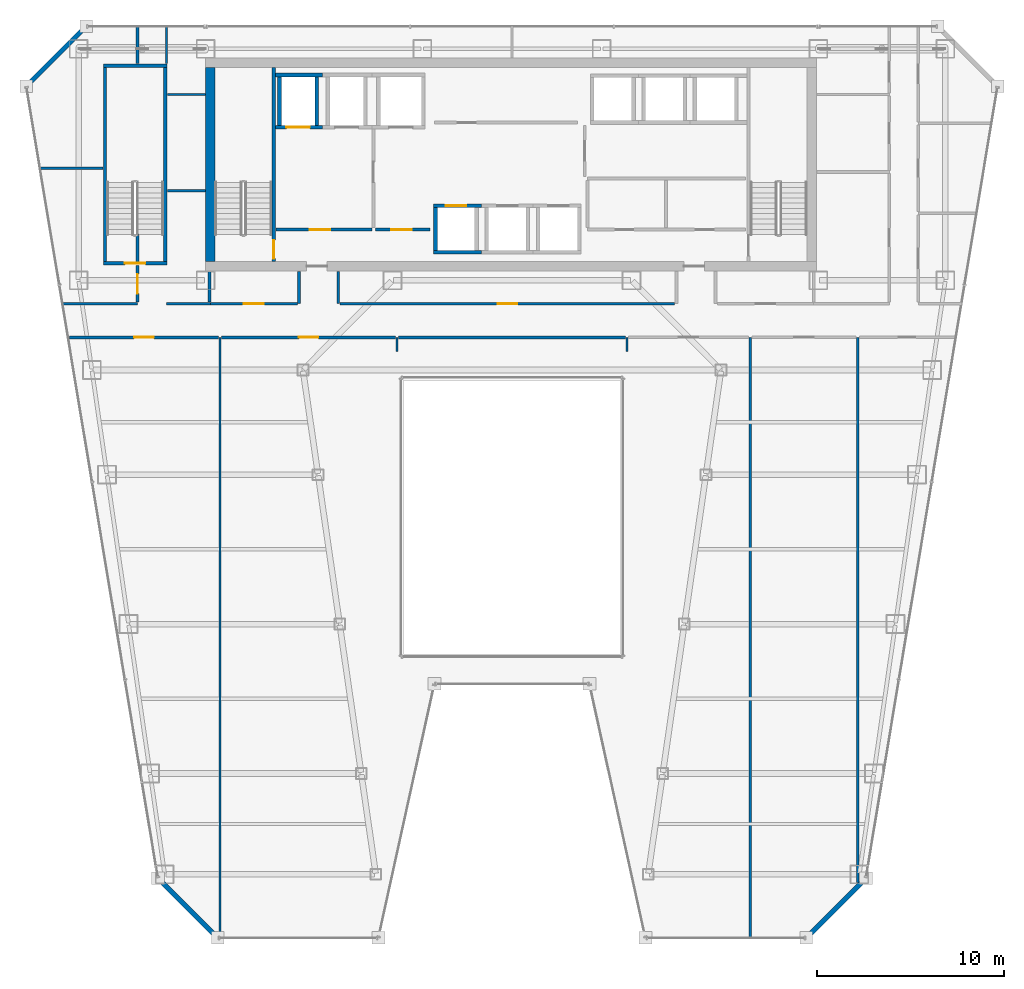
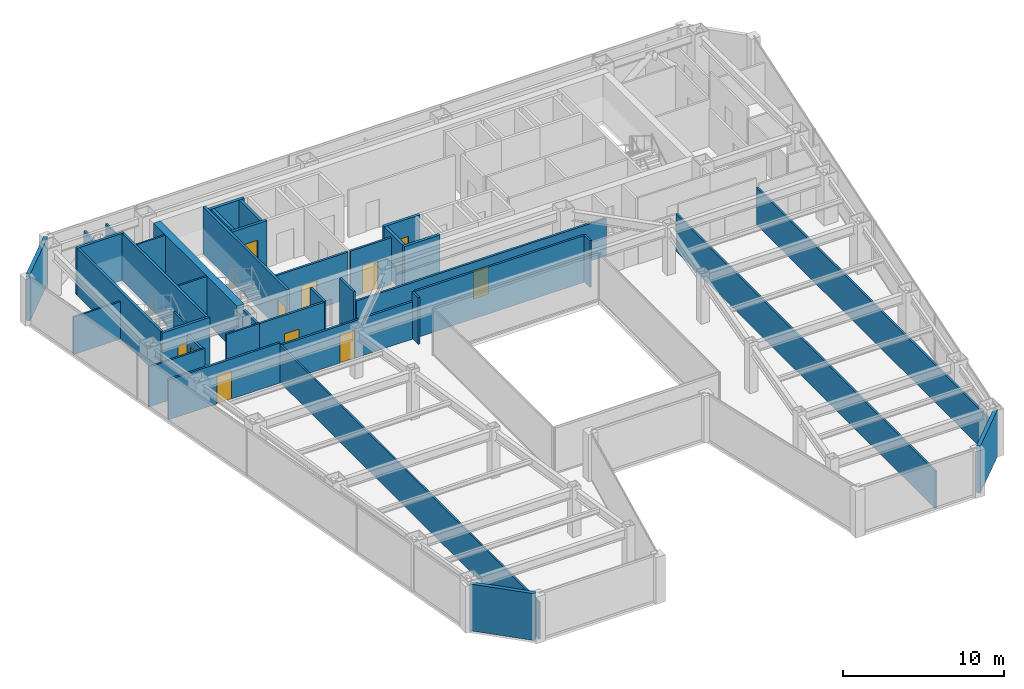
# One storey, part 31 of 36: 40 walls, 11 doors, 11 openings.
"""IFC4 building model written with IfcOpenShell, lengths in metres."""

from ifc_helpers import new_model, si_unit, direction, frame, frame_2d, origin, place, context, subcontext, project, spatial, rectangle, extrude, material, layer, layer_set, type_object, element, fill, save


model = new_model("IFC4")

# Units and contexts
model_context = context("Model", 3, precision=1e-05, world=origin(), true_north=direction((0.0, 1.0)))
body_context = subcontext(model_context, "Body", "Model", "MODEL_VIEW")
ifc_project = project(units=[si_unit("LENGTHUNIT", "METRE"), si_unit("AREAUNIT", "SQUARE_METRE"), si_unit("VOLUMEUNIT", "CUBIC_METRE"), si_unit("PLANEANGLEUNIT", "RADIAN"), si_unit("MASSUNIT", "GRAM", prefix="KILO")], contexts=[model_context])

# Site, building, storey
site_placement = place(None, origin())
site = spatial("IfcSite", under=ifc_project, at=site_placement, CompositionType="ELEMENT")
building_placement = place(site_placement, origin())
building = spatial("IfcBuilding", under=site, at=building_placement, Name="Saevonmaru Cultural Tower", CompositionType="ELEMENT")
storey_placement = place(building_placement, frame((0.0, 0.0, 156.199951171875)))
storey = spatial("IfcBuildingStorey", under=building, at=storey_placement, Name="L34", CompositionType="ELEMENT", Elevation=156.199951171875)

# Wall
ifc_material_1 = material(Name="Concrete C60/75", Category="concrete")
ifc_layer_1 = layer(ifc_material_1, 0.5, Name="Concrete C60/75")
ifc_layer_set_1 = layer_set([ifc_layer_1], Name="Concrete C60/75")
wall_type_1 = type_object("IfcWallType", Name="WL-CORE-500", PredefinedType="SHEAR", material=ifc_layer_set_1)
wall_1_placement = place(storey_placement, frame((13.85009765625, 43.39990234375, 0.0), z_axis=(0.0, 0.0, 1.0), x_axis=(0.0, 1.0, 0.0)))
element("IfcWall", 1, at=wall_1_placement, inside=storey, type_object=wall_type_1, Name="L34 Tower RC core shear wall W", PredefinedType="SHEAR", context=body_context, shape_type="SweptSolid", body=[
    extrude(rectangle(XDim=10.400146484375, YDim=0.5, at=frame_2d((5.2001953125, 0.0))), origin(), (0.0, 0.0, 1.0), 3.550048828125),
])

# Wall, opening, door
ifc_material_2 = material(Name="Gypsum Fireboard Partition", Category="gypsum")
ifc_layer_2 = layer(ifc_material_2, 0.14990234375, Name="Gypsum Fireboard Partition")
ifc_layer_set_2 = layer_set([ifc_layer_2], Name="Gypsum Fireboard Partition")
wall_type_2 = type_object("IfcWallType", Name="WL-CORE-PART-150", PredefinedType="PARTITIONING", material=ifc_layer_set_2)
wall_2_placement = place(storey_placement, frame((17.360107421875, 45.1201171875, 0.0), z_axis=(0.0, 0.0, 1.0), x_axis=(1.0, 0.0, 0.0)))
wall_2 = element("IfcWall", 2, at=wall_2_placement, inside=storey, type_object=wall_type_2, Name="L34 Firefighting Lift Lobby South Wall", PredefinedType="PARTITIONING", context=body_context, shape_type="SweptSolid", body=[
    extrude(rectangle(XDim=5.139892578125, YDim=0.14990234375, at=frame_2d((2.56982421875, 0.0))), origin(), (0.0, 0.0, 1.0), 3.550048828125),
])
opening_1_placement = place(wall_2_placement, frame((1.800048828125, 0.0, 0.0)))
opening_1 = element("IfcOpeningElement", 3, at=opening_1_placement, cuts=wall_2, Name="Opening FD-2", PredefinedType="OPENING", context=body_context, shape_type="SweptSolid", body=[
    extrude(rectangle(XDim=1.10009765625, YDim=2.14990234375, at=frame_2d((0.550048828125, 1.074951171875))), frame((0.0, 0.0849609375, 0.0), z_axis=(0.0, -1.0, 0.0), x_axis=(1.0, 0.0, 0.0)), (0.0, 0.0, 1.0), 0.169921875),
])
ifc_material_3 = material(Name="Satin Bronze Anodised Aluminium", Category="aluminium")
door_type_1 = type_object("IfcDoorType", Name="DR-FD60-1100", OperationType="SINGLE_SWING_LEFT", PredefinedType="DOOR", material=ifc_material_3)
door_1_placement = place(opening_1_placement, origin())
door_1 = element("IfcDoor", 4, at=door_1_placement, inside=storey, type_object=door_type_1, Name="L34 Firefighting Lift Lobby South Door", OperationType="SINGLE_SWING_LEFT", OverallHeight=2.14990234375, OverallWidth=1.10009765625, PredefinedType="DOOR", context=body_context, shape_type="SweptSolid", body=[
    extrude(rectangle(XDim=1.10009765625, YDim=2.14990234375, at=frame_2d((0.550048828125, 1.074951171875))), frame((0.0, 0.02490234375, 0.0), z_axis=(0.0, -1.0, 0.0), x_axis=(1.0, 0.0, 0.0)), (0.0, 0.0, 1.0), 0.050048828125),
])
fill(opening_1, door_1)

wall_3_placement = place(storey_placement, frame((22.679931640625, 45.1201171875, 0.0), z_axis=(0.0, 0.0, 1.0), x_axis=(1.0, 0.0, 0.0)))
wall_3 = element("IfcWall", 5, at=wall_3_placement, inside=storey, type_object=wall_type_2, Name="L34 Service Lift Vestibule Wall", PredefinedType="PARTITIONING", context=body_context, shape_type="SweptSolid", body=[
    extrude(rectangle(XDim=2.920166015625, YDim=0.14990234375, at=frame_2d((1.4599609375, 0.0))), origin(), (0.0, 0.0, 1.0), 3.550048828125),
])
opening_2_placement = place(wall_3_placement, frame((0.85009765625, 0.0, 0.0)))
opening_2 = element("IfcOpeningElement", 6, at=opening_2_placement, cuts=wall_3, Name="Opening FD-2", PredefinedType="OPENING", context=body_context, shape_type="SweptSolid", body=[
    extrude(rectangle(XDim=1.10009765625, YDim=2.14990234375, at=frame_2d((0.550048828125, 1.074951171875))), frame((0.0, 0.0849609375, 0.0), z_axis=(0.0, -1.0, 0.0), x_axis=(1.0, 0.0, 0.0)), (0.0, 0.0, 1.0), 0.169921875),
])
door_2_placement = place(opening_2_placement, origin())
door_2 = element("IfcDoor", 7, at=door_2_placement, inside=storey, type_object=door_type_1, Name="L34 Service Lift Vestibule Door", OperationType="SINGLE_SWING_LEFT", OverallHeight=2.14990234375, OverallWidth=1.10009765625, PredefinedType="DOOR", context=body_context, shape_type="SweptSolid", body=[
    extrude(rectangle(XDim=1.10009765625, YDim=2.14990234375, at=frame_2d((0.550048828125, 1.074951171875))), frame((0.0, 0.02490234375, 0.0), z_axis=(0.0, -1.0, 0.0), x_axis=(1.0, 0.0, 0.0)), (0.0, 0.0, 1.0), 0.050048828125),
])
fill(opening_2, door_2)

# Walls
ifc_material_4 = material(Name="Granite-Clad Precast Concrete C40/50", Category="masonry")
ifc_layer_3 = layer(ifc_material_4, 0.260009765625, Name="Granite-Clad Precast Concrete C40/50")
ifc_layer_set_3 = layer_set([ifc_layer_3], Name="Granite-Clad Precast Concrete C40/50")
wall_type_3 = type_object("IfcWallType", Name="WL-EXT-SPANDREL-260", PredefinedType="STANDARD", material=ifc_layer_set_3)
for number, where, z_axis, x_axis, name in (
    (8, (11.162109375, 10.286865234375, 0.0), (0.0, 0.0, 1.0), (0.70707775441, -0.707135806771, 0.0), "L34 Chamfer Corner Spandrel Wall E1"),
    (9, (45.8642578125, 7.31298828125, 0.0), (0.0, 0.0, 1.0), (0.70707775441, 0.707135806771, 0.0), "L34 Chamfer Corner Spandrel Wall E7"),
):
    element("IfcWall", number, at=place(storey_placement, frame(where, z_axis=z_axis, x_axis=x_axis)), inside=storey, type_object=wall_type_3, Name=name, PredefinedType="STANDARD", context=body_context, shape_type="SweptSolid", body=[
        extrude(rectangle(XDim=4.20556640625, YDim=0.260009765625, at=frame_2d((2.102783203125, 0.0))), origin(), (0.0, 0.0, 1.0), 3.550048828125),
    ])
wall_4_placement = place(storey_placement, frame((7.0869140625, 55.886962890625, 0.0), z_axis=(0.0, 0.0, 1.0), x_axis=(-0.707106781187, -0.707106781187, 0.0)))
element("IfcWall", 10, at=wall_4_placement, inside=storey, type_object=wall_type_3, Name="L34 Chamfer Corner Spandrel Wall E11", PredefinedType="STANDARD", context=body_context, shape_type="SweptSolid", body=[
    extrude(rectangle(XDim=4.205810546875, YDim=0.260009765625, at=frame_2d((2.10302734375, 0.0))), origin(), (0.0, 0.0, 1.0), 3.550048828125),
])

# Wall, opening, door
ifc_layer_4 = layer(ifc_material_2, 0.14990234375, Name="Gypsum Fireboard Partition")
ifc_layer_set_4 = layer_set([ifc_layer_4], Name="Gypsum Fireboard Partition")
wall_type_4 = type_object("IfcWallType", Name="WL-PART-FIRE-150", PredefinedType="PARTITIONING", material=ifc_layer_set_4)
wall_5_placement = place(storey_placement, frame((9.949951171875, 41.22998046875, 0.0), z_axis=(0.0, 0.0, 1.0), x_axis=(0.0, 1.0, 0.0)))
wall_5 = element("IfcWall", 11, at=wall_5_placement, inside=storey, type_object=wall_type_4, Name="L34 Sky Observatory Gallery Corridor Wall", PredefinedType="PARTITIONING", context=body_context, shape_type="SweptSolid", body=[
    extrude(rectangle(XDim=1.969970703125, YDim=0.14990234375, at=frame_2d((0.98486328125, 0.0))), origin(), (0.0, 0.0, 1.0), 2.8349609375),
])
opening_3_placement = place(wall_5_placement, frame((0.4599609375, 0.0, 0.0)))
opening_3 = element("IfcOpeningElement", 12, at=opening_3_placement, cuts=wall_5, Name="Opening ID-1", PredefinedType="OPENING", context=body_context, shape_type="SweptSolid", body=[
    extrude(rectangle(XDim=1.050048828125, YDim=2.14990234375, at=frame_2d((0.52490234375, 1.074951171875))), frame((0.0, 0.0849609375, 0.0), z_axis=(0.0, -1.0, 0.0), x_axis=(1.0, 0.0, 0.0)), (0.0, 0.0, 1.0), 0.169921875),
])
door_type_2 = type_object("IfcDoorType", Name="DR-INT-1050", OperationType="SINGLE_SWING_LEFT", PredefinedType="DOOR", material=ifc_material_3)
door_3_placement = place(opening_3_placement, origin())
door_3 = element("IfcDoor", 13, at=door_3_placement, inside=storey, type_object=door_type_2, Name="L34 Sky Observatory Gallery Door", OperationType="SINGLE_SWING_LEFT", OverallHeight=2.14990234375, OverallWidth=1.050048828125, PredefinedType="DOOR", context=body_context, shape_type="SweptSolid", body=[
    extrude(rectangle(XDim=1.050048828125, YDim=2.14990234375, at=frame_2d((0.52490234375, 1.074951171875))), frame((0.0, 0.02490234375, 0.0), z_axis=(0.0, -1.0, 0.0), x_axis=(1.0, 0.0, 0.0)), (0.0, 0.0, 1.0), 0.050048828125),
])
fill(opening_3, door_3)

# Walls
wall_6_placement = place(storey_placement, frame((9.949951171875, 43.419921875, 0.0), z_axis=(0.0, 0.0, 1.0), x_axis=(0.0, 1.0, 0.0)))
element("IfcWall", 14, at=wall_6_placement, inside=storey, type_object=wall_type_4, Name="L34 Sky Observatory Gallery Corridor Wall (2)", PredefinedType="PARTITIONING", context=body_context, shape_type="SweptSolid", body=[
    extrude(rectangle(XDim=1.4501953125, YDim=0.14990234375, at=frame_2d((0.72509765625, 0.0))), origin(), (0.0, 0.0, 1.0), 3.550048828125),
])
wall_7_placement = place(storey_placement, frame((9.949951171875, 54.0, 0.0), z_axis=(0.0, 0.0, 1.0), x_axis=(0.0, 1.0, 0.0)))
element("IfcWall", 15, at=wall_7_placement, inside=storey, type_object=wall_type_4, Name="L34 Skyline Exhibition Gallery Corridor Wall", PredefinedType="PARTITIONING", context=body_context, shape_type="SweptSolid", body=[
    extrude(rectangle(XDim=1.9951171875, YDim=0.14990234375, at=frame_2d((0.99755859375, 0.0))), origin(), (0.0, 0.0, 1.0), 2.93505859375),
])
wall_8_placement = place(storey_placement, frame((13.800048828125, 41.22998046875, 0.0), z_axis=(0.0, 0.0, 1.0), x_axis=(0.0, 1.0, 0.0)))
element("IfcWall", 16, at=wall_8_placement, inside=storey, type_object=wall_type_4, Name="L34 Core Portal Side Wall W0", PredefinedType="PARTITIONING", context=body_context, shape_type="SweptSolid", body=[
    extrude(rectangle(XDim=1.64990234375, YDim=0.14990234375, at=frame_2d((0.824951171875, 0.0))), origin(), (0.0, 0.0, 1.0), 3.550048828125),
])
for number, where, z_axis, x_axis, name in (
    (17, (18.60009765625, 41.14990234375, 0.0), (0.0, 0.0, 1.0), (0.0, 1.0, 0.0), "L34 Core Portal Side Wall W1"),
    (18, (20.699951171875, 41.14990234375, 0.0), (0.0, 0.0, 1.0), (0.0, 1.0, 0.0), "L34 Core Portal Side Wall W2"),
):
    element("IfcWall", number, at=place(storey_placement, frame(where, z_axis=z_axis, x_axis=x_axis)), inside=storey, type_object=wall_type_4, Name=name, PredefinedType="PARTITIONING", context=body_context, shape_type="SweptSolid", body=[
        extrude(rectangle(XDim=1.72998046875, YDim=0.14990234375, at=frame_2d((0.864990234375, 0.0))), origin(), (0.0, 0.0, 1.0), 3.550048828125),
    ])

# Wall, opening, door
wall_9_placement = place(storey_placement, frame((13.85009765625, 41.14990234375, 0.0), z_axis=(0.0, 0.0, 1.0), x_axis=(1.0, 0.0, 0.0)))
wall_9 = element("IfcWall", 19, at=wall_9_placement, inside=storey, type_object=wall_type_4, Name="L34 Sky Observatory Gallery Corridor Wall", PredefinedType="PARTITIONING", context=body_context, shape_type="SweptSolid", body=[
    extrude(rectangle(XDim=4.65478515625, YDim=0.14990234375, at=frame_2d((2.327392578125, 0.0))), origin(), (0.0, 0.0, 1.0), 3.550048828125),
])
opening_4_placement = place(wall_9_placement, frame((1.802001953125, 0.0, 0.0)))
opening_4 = element("IfcOpeningElement", 20, at=opening_4_placement, cuts=wall_9, Name="Opening ID-1", PredefinedType="OPENING", context=body_context, shape_type="SweptSolid", body=[
    extrude(rectangle(XDim=1.050048828125, YDim=2.14990234375, at=frame_2d((0.52490234375, 1.074951171875))), frame((0.0, 0.0849609375, 0.0), z_axis=(0.0, -1.0, 0.0), x_axis=(1.0, 0.0, 0.0)), (0.0, 0.0, 1.0), 0.169921875),
])
door_4_placement = place(opening_4_placement, origin())
door_4 = element("IfcDoor", 21, at=door_4_placement, inside=storey, type_object=door_type_2, Name="L34 Sky Observatory Gallery Door", OperationType="SINGLE_SWING_LEFT", OverallHeight=2.14990234375, OverallWidth=1.050048828125, PredefinedType="DOOR", context=body_context, shape_type="SweptSolid", body=[
    extrude(rectangle(XDim=1.050048828125, YDim=2.14990234375, at=frame_2d((0.52490234375, 1.074951171875))), frame((0.0, 0.02490234375, 0.0), z_axis=(0.0, -1.0, 0.0), x_axis=(1.0, 0.0, 0.0)), (0.0, 0.0, 1.0), 0.050048828125),
])
fill(opening_4, door_4)

wall_10_placement = place(storey_placement, frame((20.794921875, 41.14990234375, 0.0), z_axis=(0.0, 0.0, 1.0), x_axis=(1.0, 0.0, 0.0)))
wall_10 = element("IfcWall", 22, at=wall_10_placement, inside=storey, type_object=wall_type_4, Name="L34 Skyline Exhibition Gallery Corridor Wall", PredefinedType="PARTITIONING", context=body_context, shape_type="SweptSolid", body=[
    extrude(rectangle(XDim=17.91015625, YDim=0.14990234375, at=frame_2d((8.955078125, 0.0))), origin(), (0.0, 0.0, 1.0), 2.8349609375),
])
opening_5_placement = place(wall_10_placement, frame((8.429931640625, 0.0, 0.0)))
opening_5 = element("IfcOpeningElement", 23, at=opening_5_placement, cuts=wall_10, Name="Opening ID-1", PredefinedType="OPENING", context=body_context, shape_type="SweptSolid", body=[
    extrude(rectangle(XDim=1.050048828125, YDim=2.14990234375, at=frame_2d((0.52490234375, 1.074951171875))), frame((0.0, 0.0849609375, 0.0), z_axis=(0.0, -1.0, 0.0), x_axis=(1.0, 0.0, 0.0)), (0.0, 0.0, 1.0), 0.169921875),
])
door_5_placement = place(opening_5_placement, origin())
door_5 = element("IfcDoor", 24, at=door_5_placement, inside=storey, type_object=door_type_2, Name="L34 Skyline Exhibition Gallery Door", OperationType="SINGLE_SWING_RIGHT", OverallHeight=2.14990234375, OverallWidth=1.050048828125, PredefinedType="DOOR", context=body_context, shape_type="SweptSolid", body=[
    extrude(rectangle(XDim=1.050048828125, YDim=2.14990234375, at=frame_2d((0.52490234375, 1.074951171875))), frame((0.0, 0.02490234375, 0.0), z_axis=(0.0, -1.0, 0.0), x_axis=(1.0, 0.0, 0.0)), (0.0, 0.0, 1.0), 0.050048828125),
])
fill(opening_5, door_5)

wall_11_placement = place(storey_placement, frame((6.304931640625, 39.35009765625, 0.0), z_axis=(0.0, 0.0, 1.0), x_axis=(1.0, 0.0, 0.0)))
wall_11 = element("IfcWall", 25, at=wall_11_placement, inside=storey, type_object=wall_type_4, Name="L34 Sky Observatory Gallery Corridor Wall", PredefinedType="PARTITIONING", context=body_context, shape_type="SweptSolid", body=[
    extrude(rectangle(XDim=7.985107421875, YDim=0.14990234375, at=frame_2d((3.99267578125, 0.0))), origin(), (0.0, 0.0, 1.0), 3.03515625),
])
opening_6_placement = place(wall_11_placement, frame((3.467041015625, 0.0, 0.0)))
opening_6 = element("IfcOpeningElement", 26, at=opening_6_placement, cuts=wall_11, Name="Opening ID-1", PredefinedType="OPENING", context=body_context, shape_type="SweptSolid", body=[
    extrude(rectangle(XDim=1.050048828125, YDim=2.14990234375, at=frame_2d((0.52490234375, 1.074951171875))), frame((0.0, 0.0849609375, 0.0), z_axis=(0.0, -1.0, 0.0), x_axis=(1.0, 0.0, 0.0)), (0.0, 0.0, 1.0), 0.169921875),
])
door_6_placement = place(opening_6_placement, origin())
door_6 = element("IfcDoor", 27, at=door_6_placement, inside=storey, type_object=door_type_2, Name="L34 Sky Observatory Gallery Door", OperationType="SINGLE_SWING_RIGHT", OverallHeight=2.14990234375, OverallWidth=1.050048828125, PredefinedType="DOOR", context=body_context, shape_type="SweptSolid", body=[
    extrude(rectangle(XDim=1.050048828125, YDim=2.14990234375, at=frame_2d((0.52490234375, 1.074951171875))), frame((0.0, 0.02490234375, 0.0), z_axis=(0.0, -1.0, 0.0), x_axis=(1.0, 0.0, 0.0)), (0.0, 0.0, 1.0), 0.050048828125),
])
fill(opening_6, door_6)

wall_12_placement = place(storey_placement, frame((14.449951171875, 39.35009765625, 0.0), z_axis=(0.0, 0.0, 1.0), x_axis=(1.0, 0.0, 0.0)))
wall_12 = element("IfcWall", 28, at=wall_12_placement, inside=storey, type_object=wall_type_4, Name="L34 Skyline Exhibition Gallery Corridor Wall", PredefinedType="PARTITIONING", context=body_context, shape_type="SweptSolid", body=[
    extrude(rectangle(XDim=9.320068359375, YDim=0.14990234375, at=frame_2d((4.66015625, 0.0))), origin(), (0.0, 0.0, 1.0), 2.8349609375),
])
opening_7_placement = place(wall_12_placement, frame((4.135009765625, 0.0, 0.0)))
opening_7 = element("IfcOpeningElement", 29, at=opening_7_placement, cuts=wall_12, Name="Opening ID-1", PredefinedType="OPENING", context=body_context, shape_type="SweptSolid", body=[
    extrude(rectangle(XDim=1.050048828125, YDim=2.14990234375, at=frame_2d((0.52490234375, 1.074951171875))), frame((0.0, 0.0849609375, 0.0), z_axis=(0.0, -1.0, 0.0), x_axis=(1.0, 0.0, 0.0)), (0.0, 0.0, 1.0), 0.169921875),
])
door_7_placement = place(opening_7_placement, origin())
door_7 = element("IfcDoor", 30, at=door_7_placement, inside=storey, type_object=door_type_2, Name="L34 Skyline Exhibition Gallery Door", OperationType="SINGLE_SWING_LEFT", OverallHeight=2.14990234375, OverallWidth=1.050048828125, PredefinedType="DOOR", context=body_context, shape_type="SweptSolid", body=[
    extrude(rectangle(XDim=1.050048828125, YDim=2.14990234375, at=frame_2d((0.52490234375, 1.074951171875))), frame((0.0, 0.02490234375, 0.0), z_axis=(0.0, -1.0, 0.0), x_axis=(1.0, 0.0, 0.0)), (0.0, 0.0, 1.0), 0.050048828125),
])
fill(opening_7, door_7)

# Walls
wall_13_placement = place(storey_placement, frame((23.929931640625, 39.35009765625, 0.0), z_axis=(0.0, 0.0, 1.0), x_axis=(1.0, 0.0, 0.0)))
element("IfcWall", 31, at=wall_13_placement, inside=storey, type_object=wall_type_4, Name="L34 North Atrium Corridor Wall", PredefinedType="PARTITIONING", context=body_context, shape_type="SweptSolid", body=[
    extrude(rectangle(XDim=12.14013671875, YDim=0.14990234375, at=frame_2d((6.070068359375, 0.0))), origin(), (0.0, 0.0, 1.0), 3.550048828125),
])
ifc_layer_5 = layer(ifc_material_2, 0.1201171875, Name="Gypsum Fireboard Partition")
ifc_layer_set_5 = layer_set([ifc_layer_5], Name="Gypsum Fireboard Partition")
wall_type_5 = type_object("IfcWallType", Name="WL-PART-GYP-120", PredefinedType="PARTITIONING", material=ifc_layer_set_5)
wall_14_placement = place(storey_placement, frame((5.94189453125, 41.14990234375, 0.0), z_axis=(0.0, 0.0, 1.0), x_axis=(1.0, 0.0, 0.0)))
element("IfcWall", 32, at=wall_14_placement, inside=storey, type_object=wall_type_5, Name="L34 NW Wing South Wall", PredefinedType="PARTITIONING", context=body_context, shape_type="SweptSolid", body=[
    extrude(rectangle(XDim=4.008056640625, YDim=0.1201171875, at=frame_2d((2.00390625, 0.0))), origin(), (0.0, 0.0, 1.0), 3.03515625),
])
wall_15_placement = place(storey_placement, frame((11.5, 41.14990234375, 0.0), z_axis=(0.0, 0.0, 1.0), x_axis=(1.0, 0.0, 0.0)))
element("IfcWall", 33, at=wall_15_placement, inside=storey, type_object=wall_type_5, Name="L34 NW Inner South Wall", PredefinedType="PARTITIONING", context=body_context, shape_type="SweptSolid", body=[
    extrude(rectangle(XDim=2.35009765625, YDim=0.1201171875, at=frame_2d((1.175048828125, 0.0))), origin(), (0.0, 0.0, 1.0), 3.550048828125),
])
wall_16_placement = place(storey_placement, frame((11.550048828125, 52.35009765625, 0.0), z_axis=(0.0, 0.0, 1.0), x_axis=(1.0, 0.0, 0.0)))
element("IfcWall", 34, at=wall_16_placement, inside=storey, type_object=wall_type_5, Name="L34 North-West Panorama South Wall", PredefinedType="PARTITIONING", context=body_context, shape_type="SweptSolid", body=[
    extrude(rectangle(XDim=2.030029296875, YDim=0.1201171875, at=frame_2d((1.01513671875, 0.0))), origin(), (0.0, 0.0, 1.0), 3.550048828125),
])
wall_17_placement = place(storey_placement, frame((11.5, 54.0, 0.0), z_axis=(0.0, 0.0, 1.0), x_axis=(0.0, 1.0, 0.0)))
element("IfcWall", 35, at=wall_17_placement, inside=storey, type_object=wall_type_5, Name="L34 Rare Manuscript Reading Room Corridor Wall", PredefinedType="PARTITIONING", context=body_context, shape_type="SweptSolid", body=[
    extrude(rectangle(XDim=1.9951171875, YDim=0.1201171875, at=frame_2d((0.99755859375, 0.0))), origin(), (0.0, 0.0, 1.0), 2.93505859375),
])
wall_18_placement = place(storey_placement, frame((4.736572265625, 48.39990234375, 0.0), z_axis=(0.0, 0.0, 1.0), x_axis=(1.0, 0.0, 0.0)))
element("IfcWall", 36, at=wall_18_placement, inside=storey, type_object=wall_type_5, Name="L34 NW Studio Divider 1", PredefinedType="PARTITIONING", context=body_context, shape_type="SweptSolid", body=[
    extrude(rectangle(XDim=3.363525390625, YDim=0.1201171875, at=frame_2d((1.681640625, 0.0))), origin(), (0.0, 0.0, 1.0), 2.8349609375),
])
wall_19_placement = place(storey_placement, frame((11.550048828125, 47.199951171875, 0.0), z_axis=(0.0, 0.0, 1.0), x_axis=(1.0, 0.0, 0.0)))
element("IfcWall", 37, at=wall_19_placement, inside=storey, type_object=wall_type_5, Name="L34 NW Inner Divider", PredefinedType="PARTITIONING", context=body_context, shape_type="SweptSolid", body=[
    extrude(rectangle(XDim=2.030029296875, YDim=0.1201171875, at=frame_2d((1.01513671875, 0.0))), origin(), (0.0, 0.0, 1.0), 3.550048828125),
])
wall_20_placement = place(storey_placement, frame((14.3701171875, 7.205078125, 0.0), z_axis=(0.0, 0.0, 1.0), x_axis=(0.0, 1.0, 0.0)))
element("IfcWall", 38, at=wall_20_placement, inside=storey, type_object=wall_type_5, Name="L34 West Bay Divider 1", PredefinedType="PARTITIONING", context=body_context, shape_type="SweptSolid", body=[
    extrude(rectangle(XDim=32.14501953125, YDim=0.1201171875, at=frame_2d((16.072509765625, 0.0))), origin(), (0.0, 0.0, 1.0), 2.8349609375),
])
for number, where, z_axis, x_axis, name in (
    (39, (23.85009765625, 38.60009765625, 0.0), (0.0, 0.0, 1.0), (0.0, 1.0, 0.0), "L34 North Atrium West Wall"),
    (40, (36.14990234375, 38.60009765625, 0.0), (0.0, 0.0, 1.0), (0.0, 1.0, 0.0), "L34 North Atrium East Wall"),
):
    element("IfcWall", number, at=place(storey_placement, frame(where, z_axis=z_axis, x_axis=x_axis)), inside=storey, type_object=wall_type_5, Name=name, PredefinedType="PARTITIONING", context=body_context, shape_type="SweptSolid", body=[
        extrude(rectangle(XDim=0.75, YDim=0.1201171875, at=frame_2d((0.375, 0.0))), origin(), (0.0, 0.0, 1.0), 3.550048828125),
    ])
ifc_layer_6 = layer(ifc_material_2, 0.135009765625, Name="Gypsum Fireboard Partition")
ifc_layer_set_6 = layer_set([ifc_layer_6], Name="Gypsum Fireboard Partition")
wall_type_6 = type_object("IfcWallType", Name="WL-PART-GYP-135", PredefinedType="PARTITIONING", material=ifc_layer_set_6)
wall_21_placement = place(storey_placement, frame((42.760009765625, 7.205078125, 0.0), z_axis=(0.0, 0.0, 1.0), x_axis=(0.0, 1.0, 0.0)))
element("IfcWall", 41, at=wall_21_placement, inside=storey, type_object=wall_type_6, Name="L34 East Bay Divider 1", PredefinedType="PARTITIONING", context=body_context, shape_type="SweptSolid", body=[
    extrude(rectangle(XDim=32.14501953125, YDim=0.135009765625, at=frame_2d((16.072509765625, 0.0))), origin(), (0.0, 0.0, 1.0), 2.8349609375),
])
wall_22_placement = place(storey_placement, frame((48.510009765625, 10.1708984375, 0.0), z_axis=(0.0, 0.0, 1.0), x_axis=(0.0, 1.0, 0.0)))
element("IfcWall", 42, at=wall_22_placement, inside=storey, type_object=wall_type_6, Name="L34 East Bay Divider 2", PredefinedType="PARTITIONING", context=body_context, shape_type="SweptSolid", body=[
    extrude(rectangle(XDim=29.17919921875, YDim=0.135009765625, at=frame_2d((14.589599609375, 0.0))), origin(), (0.0, 0.0, 1.0), 2.8349609375),
])

# Wall, opening, door
ifc_material_5 = material(Name="Concrete C40/50", Category="concrete")
ifc_layer_7 = layer(ifc_material_5, 0.199951171875, Name="Concrete C40/50")
ifc_layer_set_7 = layer_set([ifc_layer_7], Name="Concrete C40/50")
wall_type_7 = type_object("IfcWallType", Name="WL-SHAFT-200", PredefinedType="SHEAR", material=ifc_layer_set_7)
wall_23_placement = place(storey_placement, frame((17.330078125, 50.60009765625, 0.0), z_axis=(0.0, 0.0, 1.0), x_axis=(1.0, 0.0, 0.0)))
wall_23 = element("IfcWall", 43, at=wall_23_placement, inside=storey, type_object=wall_type_7, Name="L34 Lift FFL-1 Hoistway Wall S", PredefinedType="SHEAR", context=body_context, shape_type="SweptSolid", body=[
    extrude(rectangle(XDim=2.52001953125, YDim=0.199951171875, at=frame_2d((1.260009765625, 0.0))), origin(), (0.0, 0.0, 1.0), 3.550048828125),
])
opening_8_placement = place(wall_23_placement, frame((0.594970703125, 0.0, 0.0)))
opening_8 = element("IfcOpeningElement", 44, at=opening_8_placement, cuts=wall_23, Name="Opening LD-2", PredefinedType="OPENING", context=body_context, shape_type="SweptSolid", body=[
    extrude(rectangle(XDim=1.25, YDim=2.300048828125, at=frame_2d((0.625, 1.14990234375))), frame((0.0, 0.10986328125, 0.0), z_axis=(0.0, -1.0, 0.0), x_axis=(1.0, 0.0, 0.0)), (0.0, 0.0, 1.0), 0.219970703125),
])
ifc_material_6 = material(Name="Stainless Steel 316", Category="steel")
door_type_3 = type_object("IfcDoorType", Name="DR-LIFT-1250", OperationType="SLIDING_TO_LEFT", PredefinedType="DOOR", material=ifc_material_6)
door_8_placement = place(opening_8_placement, origin())
door_8 = element("IfcDoor", 45, at=door_8_placement, inside=storey, type_object=door_type_3, Name="L34 Lift FFL-1 Sliding Landing Door", OperationType="SLIDING_TO_LEFT", OverallHeight=2.300048828125, OverallWidth=1.25, PredefinedType="DOOR", context=body_context, shape_type="SweptSolid", body=[
    extrude(rectangle(XDim=1.25, YDim=2.300048828125, at=frame_2d((0.625, 1.14990234375))), frame((0.0, 0.02490234375, 0.0), z_axis=(0.0, -1.0, 0.0), x_axis=(1.0, 0.0, 0.0)), (0.0, 0.0, 1.0), 0.050048828125),
])
fill(opening_8, door_8)

# Walls
wall_24_placement = place(storey_placement, frame((17.330078125, 53.39990234375, 0.0), z_axis=(0.0, 0.0, 1.0), x_axis=(1.0, 0.0, 0.0)))
element("IfcWall", 46, at=wall_24_placement, inside=storey, type_object=wall_type_7, Name="L34 Lift FFL-1 Hoistway Wall N", PredefinedType="SHEAR", context=body_context, shape_type="SweptSolid", body=[
    extrude(rectangle(XDim=2.52001953125, YDim=0.199951171875, at=frame_2d((1.260009765625, 0.0))), origin(), (0.0, 0.0, 1.0), 3.550048828125),
])
for number, where, z_axis, x_axis, name in (
    (47, (17.550048828125, 50.699951171875, 0.0), (0.0, 0.0, 1.0), (0.0, 1.0, 0.0), "L34 Lift FFL-1 Hoistway Wall W"),
    (48, (19.550048828125, 50.699951171875, 0.0), (0.0, 0.0, 1.0), (0.0, 1.0, 0.0), "L34 Lift FFL-1 Hoistway Wall E"),
):
    element("IfcWall", number, at=place(storey_placement, frame(where, z_axis=z_axis, x_axis=x_axis)), inside=storey, type_object=wall_type_7, Name=name, PredefinedType="SHEAR", context=body_context, shape_type="SweptSolid", body=[
        extrude(rectangle(XDim=2.60009765625, YDim=0.199951171875, at=frame_2d((1.300048828125, 0.0))), origin(), (0.0, 0.0, 1.0), 3.550048828125),
    ])
wall_25_placement = place(storey_placement, frame((25.800048828125, 43.89990234375, 0.0), z_axis=(0.0, 0.0, 1.0), x_axis=(1.0, 0.0, 0.0)))
element("IfcWall", 49, at=wall_25_placement, inside=storey, type_object=wall_type_7, Name="L34 Lift PL-M1 Hoistway Wall S", PredefinedType="SHEAR", context=body_context, shape_type="SweptSolid", body=[
    extrude(rectangle(XDim=2.574951171875, YDim=0.199951171875, at=frame_2d((1.28759765625, 0.0))), origin(), (0.0, 0.0, 1.0), 3.550048828125),
])

# Wall, opening, door
wall_26_placement = place(storey_placement, frame((25.800048828125, 46.39990234375, 0.0), z_axis=(0.0, 0.0, 1.0), x_axis=(1.0, 0.0, 0.0)))
wall_26 = element("IfcWall", 50, at=wall_26_placement, inside=storey, type_object=wall_type_7, Name="L34 Lift PL-M1 Hoistway Wall N", PredefinedType="SHEAR", context=body_context, shape_type="SweptSolid", body=[
    extrude(rectangle(XDim=2.574951171875, YDim=0.199951171875, at=frame_2d((1.28759765625, 0.0))), origin(), (0.0, 0.0, 1.0), 3.550048828125),
])
opening_9_placement = place(wall_26_placement, frame((0.64990234375, 0.0, 0.0)))
opening_9 = element("IfcOpeningElement", 51, at=opening_9_placement, cuts=wall_26, Name="Opening LD-1", PredefinedType="OPENING", context=body_context, shape_type="SweptSolid", body=[
    extrude(rectangle(XDim=1.10009765625, YDim=2.199951171875, at=frame_2d((0.550048828125, 1.10009765625))), frame((0.0, 0.10986328125, 0.0), z_axis=(0.0, -1.0, 0.0), x_axis=(1.0, 0.0, 0.0)), (0.0, 0.0, 1.0), 0.219970703125),
])
ifc_material_7 = material(Name="Satin Bronze Stainless Steel", Category="steel")
door_type_4 = type_object("IfcDoorType", Name="DR-LIFT-1100", OperationType="SLIDING_TO_LEFT", PredefinedType="DOOR", material=ifc_material_7)
door_9_placement = place(opening_9_placement, origin())
door_9 = element("IfcDoor", 52, at=door_9_placement, inside=storey, type_object=door_type_4, Name="L34 Lift PL-M1 Sliding Landing Door", OperationType="SLIDING_TO_LEFT", OverallHeight=2.199951171875, OverallWidth=1.10009765625, PredefinedType="DOOR", context=body_context, shape_type="SweptSolid", body=[
    extrude(rectangle(XDim=1.10009765625, YDim=2.199951171875, at=frame_2d((0.550048828125, 1.10009765625))), frame((0.0, 0.02490234375, 0.0), z_axis=(0.0, -1.0, 0.0), x_axis=(1.0, 0.0, 0.0)), (0.0, 0.0, 1.0), 0.050048828125),
])
fill(opening_9, door_9)

# Wall
wall_27_placement = place(storey_placement, frame((25.89990234375, 44.0, 0.0), z_axis=(0.0, 0.0, 1.0), x_axis=(0.0, 1.0, 0.0)))
element("IfcWall", 53, at=wall_27_placement, inside=storey, type_object=wall_type_7, Name="L34 Lift PL-M1 Hoistway Wall W", PredefinedType="SHEAR", context=body_context, shape_type="SweptSolid", body=[
    extrude(rectangle(XDim=2.300048828125, YDim=0.199951171875, at=frame_2d((1.14990234375, 0.0))), origin(), (0.0, 0.0, 1.0), 3.550048828125),
])

# Wall, opening, door
ifc_layer_8 = layer(ifc_material_5, 0.179931640625, Name="Concrete C40/50")
ifc_layer_set_8 = layer_set([ifc_layer_8], Name="Concrete C40/50")
wall_type_8 = type_object("IfcWallType", Name="WL-STSHAFT-180", PredefinedType="SHEAR", material=ifc_layer_set_8)
wall_28_placement = place(storey_placement, frame((17.239990234375, 43.39990234375, 0.0), z_axis=(0.0, 0.0, 1.0), x_axis=(0.0, 1.0, 0.0)))
wall_28 = element("IfcWall", 54, at=wall_28_placement, inside=storey, type_object=wall_type_8, Name="L34 Stair ST-1 Structural Shaft Wall 1", PredefinedType="SHEAR", context=body_context, shape_type="SweptSolid", body=[
    extrude(rectangle(XDim=10.400146484375, YDim=0.179931640625, at=frame_2d((5.2001953125, 0.0))), origin(), (0.0, 0.0, 1.0), 3.550048828125),
])
opening_10_placement = place(wall_28_placement, frame((0.159912109375, 0.0, 0.0)))
opening_10 = element("IfcOpeningElement", 55, at=opening_10_placement, cuts=wall_28, Name="Opening FD-3", PredefinedType="OPENING", context=body_context, shape_type="SweptSolid", body=[
    extrude(rectangle(XDim=1.0, YDim=2.14990234375, at=frame_2d((0.5, 1.074951171875))), frame((0.0, 0.10009765625, 0.0), z_axis=(0.0, -1.0, 0.0), x_axis=(1.0, 0.0, 0.0)), (0.0, 0.0, 1.0), 0.199951171875),
])
door_type_5 = type_object("IfcDoorType", Name="DR-FD60-1000", OperationType="SINGLE_SWING_RIGHT", PredefinedType="DOOR", material=ifc_material_3)
door_10_placement = place(opening_10_placement, origin())
door_10 = element("IfcDoor", 56, at=door_10_placement, inside=storey, type_object=door_type_5, Name="L34 Protected Stair ST-1 Fire Door", OperationType="SINGLE_SWING_RIGHT", OverallHeight=2.14990234375, OverallWidth=1.0, PredefinedType="DOOR", context=body_context, shape_type="SweptSolid", body=[
    extrude(rectangle(XDim=1.0, YDim=2.14990234375, at=frame_2d((0.5, 1.074951171875))), frame((0.0, 0.02490234375, 0.0), z_axis=(0.0, -1.0, 0.0), x_axis=(1.0, 0.0, 0.0)), (0.0, 0.0, 1.0), 0.050048828125),
])
fill(opening_10, door_10)

wall_29_placement = place(storey_placement, frame((8.1201171875, 43.31005859375, 0.0), z_axis=(0.0, 0.0, 1.0), x_axis=(1.0, 0.0, 0.0)))
wall_29 = element("IfcWall", 57, at=wall_29_placement, inside=storey, type_object=wall_type_8, Name="L34 Stair ST-3 Structural Shaft Wall 1", PredefinedType="SHEAR", context=body_context, shape_type="SweptSolid", body=[
    extrude(rectangle(XDim=3.409912109375, YDim=0.179931640625, at=frame_2d((1.705078125, 0.0))), origin(), (0.0, 0.0, 1.0), 3.550048828125),
])
opening_11_placement = place(wall_29_placement, frame((1.14990234375, 0.0, 0.0)))
opening_11 = element("IfcOpeningElement", 58, at=opening_11_placement, cuts=wall_29, Name="Opening FD-2", PredefinedType="OPENING", context=body_context, shape_type="SweptSolid", body=[
    extrude(rectangle(XDim=1.10009765625, YDim=2.14990234375, at=frame_2d((0.550048828125, 1.074951171875))), frame((0.0, 0.10009765625, 0.0), z_axis=(0.0, -1.0, 0.0), x_axis=(1.0, 0.0, 0.0)), (0.0, 0.0, 1.0), 0.199951171875),
])
door_11_placement = place(opening_11_placement, origin())
door_11 = element("IfcDoor", 59, at=door_11_placement, inside=storey, type_object=door_type_1, Name="L34 Protected Stair ST-3 Fire Door", OperationType="SINGLE_SWING_LEFT", OverallHeight=2.14990234375, OverallWidth=1.10009765625, PredefinedType="DOOR", context=body_context, shape_type="SweptSolid", body=[
    extrude(rectangle(XDim=1.10009765625, YDim=2.14990234375, at=frame_2d((0.550048828125, 1.074951171875))), frame((0.0, 0.02490234375, 0.0), z_axis=(0.0, -1.0, 0.0), x_axis=(1.0, 0.0, 0.0)), (0.0, 0.0, 1.0), 0.050048828125),
])
fill(opening_11, door_11)

# Walls
wall_30_placement = place(storey_placement, frame((11.43994140625, 43.39990234375, 0.0), z_axis=(0.0, 0.0, 1.0), x_axis=(0.0, 1.0, 0.0)))
element("IfcWall", 60, at=wall_30_placement, inside=storey, type_object=wall_type_8, Name="L34 Stair ST-3 Structural Shaft Wall 2", PredefinedType="SHEAR", context=body_context, shape_type="SweptSolid", body=[
    extrude(rectangle(XDim=10.400146484375, YDim=0.179931640625, at=frame_2d((5.2001953125, 0.0))), origin(), (0.0, 0.0, 1.0), 3.550048828125),
])
wall_31_placement = place(storey_placement, frame((11.530029296875, 53.889892578125, 0.0), z_axis=(0.0, 0.0, 1.0), x_axis=(-1.0, 0.0, 0.0)))
element("IfcWall", 61, at=wall_31_placement, inside=storey, type_object=wall_type_8, Name="L34 Stair ST-3 Structural Shaft Wall 3", PredefinedType="SHEAR", context=body_context, shape_type="SweptSolid", body=[
    extrude(rectangle(XDim=3.409912109375, YDim=0.179931640625, at=frame_2d((1.705078125, 0.0))), origin(), (0.0, 0.0, 1.0), 3.550048828125),
])
wall_32_placement = place(storey_placement, frame((8.2099609375, 53.800048828125, 0.0), z_axis=(0.0, 0.0, 1.0), x_axis=(0.0, -1.0, 0.0)))
element("IfcWall", 62, at=wall_32_placement, inside=storey, type_object=wall_type_8, Name="L34 Stair ST-3 Structural Shaft Wall 4", PredefinedType="SHEAR", context=body_context, shape_type="SweptSolid", body=[
    extrude(rectangle(XDim=10.400146484375, YDim=0.179931640625, at=frame_2d((5.2001953125, 0.0))), origin(), (0.0, 0.0, 1.0), 3.550048828125),
])

save(model, "model.ifc")
